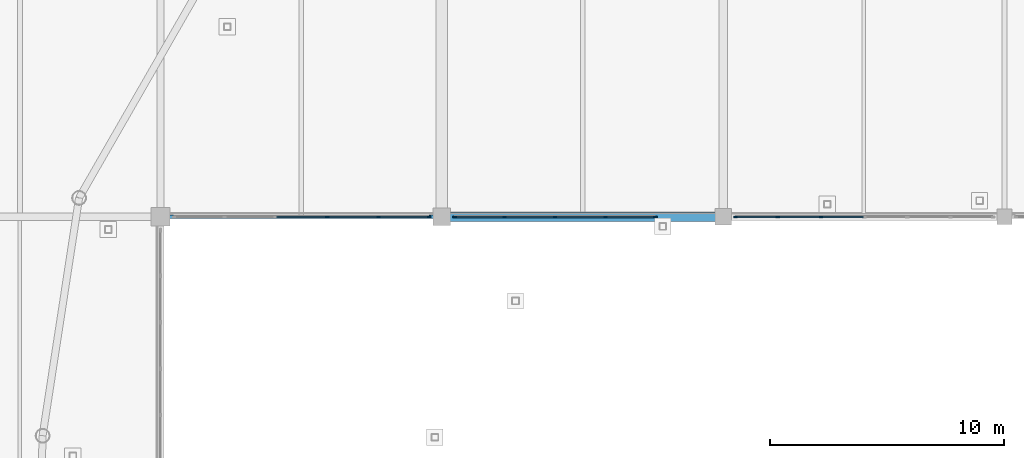
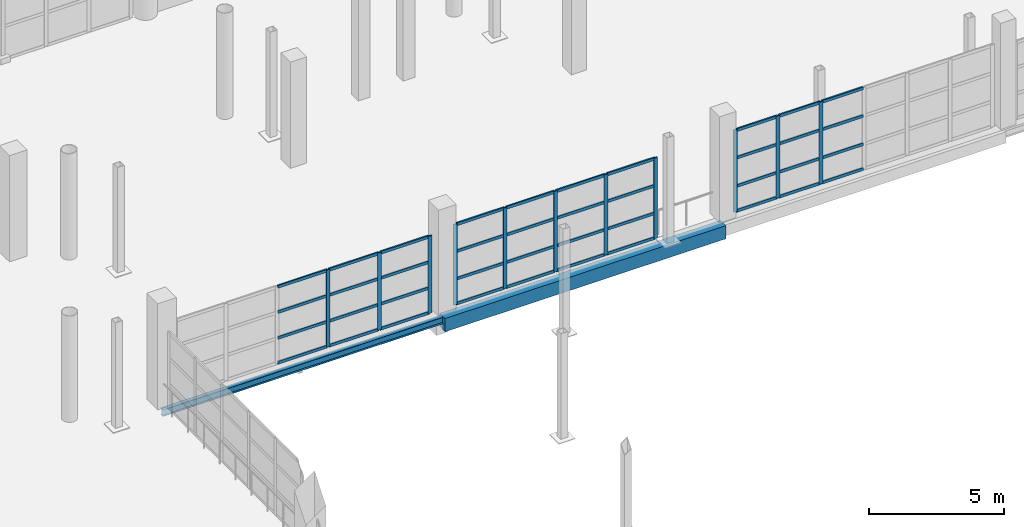
# One storey, part 46 of 143: 51 members, 2 beams, 3 elements without a shape of their own.
"""IFC4 building model written with IfcOpenShell, lengths in metres."""

from ifc_helpers import new_model, si_unit, direction, frame, origin, origin_2d, place, context, subcontext, project, spatial, rectangle, i_section, extrude, material, material_profile, profile_set, type_object, element, aggregate, save


model = new_model("IFC4")

# Units and contexts
model_context = context("Model", 3, precision=1e-05, world=origin(), true_north=direction((0.0, 1.0)))
body_context = subcontext(model_context, "Body", "Model", "MODEL_VIEW")
ifc_project = project(units=[si_unit("LENGTHUNIT", "METRE"), si_unit("AREAUNIT", "SQUARE_METRE"), si_unit("VOLUMEUNIT", "CUBIC_METRE"), si_unit("PLANEANGLEUNIT", "RADIAN"), si_unit("MASSUNIT", "GRAM", prefix="KILO")], contexts=[model_context])

# Site, building, storey
site_placement = place(None, origin())
site = spatial("IfcSite", under=ifc_project, at=site_placement, CompositionType="ELEMENT")
building_placement = place(site_placement, origin())
building = spatial("IfcBuilding", under=site, at=building_placement, Name="Luwafu Chhajja Arena", CompositionType="ELEMENT")
storey_placement = place(building_placement, frame((0.0, 0.0, 5.39990234375)))
storey = spatial("IfcBuildingStorey", under=building, at=storey_placement, Name="L01", CompositionType="ELEMENT", Elevation=5.39990234375)

# Curtain wall, members
ifc_material_1 = material(Name="Anodised bronze aluminium", Category="aluminium")
curtain_wall_type = type_object("IfcCurtainWallType", Name="Bowl Concourse Chord Curtain Wall", PredefinedType="USERDEFINED", material=ifc_material_1)
curtain_wall_1_placement = place(storey_placement, origin())
curtain_wall_1 = element("IfcCurtainWall", 1, at=curtain_wall_1_placement, inside=storey, type_object=curtain_wall_type, Name="L01 Bowl Viewing Curtain Wall CWR-L01-08", ObjectType="CURTAIN WALL", PredefinedType="USERDEFINED")
ifc_material_profile_1 = material_profile(ifc_material_1, rectangle(XDim=0.06005859375, YDim=0.159912109375, at=origin_2d()), Name="CWM 60x160")
ifc_profile_set_1 = profile_set([ifc_material_profile_1], Name="Anodised bronze aluminium")
member_type_1 = type_object("IfcMemberType", Name="Bronze Curtain Wall Mullion 60x160", PredefinedType="MULLION", material=ifc_profile_set_1)
member_1_placement = place(storey_placement, frame((65.10693359375, 77.0, 0.0), z_axis=(0.0, 0.0, 1.0), x_axis=(0.0, 1.0, 0.0)))
member_1 = element("IfcMember", 2, at=member_1_placement, type_object=member_type_1, Name="CW-01 mullion 4", PredefinedType="MULLION", context=body_context, shape_type="SweptSolid", body=[
    extrude(rectangle(XDim=0.06005859375, YDim=0.159912109375, at=origin_2d()), origin(), (0.0, 0.0, 1.0), 3.489990234375),
])
member_2_placement = place(storey_placement, frame((67.2958984375, 77.0, 0.0), z_axis=(0.0, 0.0, 1.0), x_axis=(0.0, 1.0, 0.0)))
member_2 = element("IfcMember", 3, at=member_2_placement, type_object=member_type_1, Name="CW-01 mullion 5", PredefinedType="MULLION", context=body_context, shape_type="SweptSolid", body=[
    extrude(rectangle(XDim=0.06005859375, YDim=0.159912109375, at=origin_2d()), origin(), (0.0, 0.0, 1.0), 3.489990234375),
])
member_3_placement = place(storey_placement, frame((69.455078125, 77.0, 0.0), z_axis=(0.0, 0.0, 1.0), x_axis=(0.0, 1.0, 0.0)))
member_3 = element("IfcMember", 4, at=member_3_placement, type_object=member_type_1, Name="CW-01 mullion 6", PredefinedType="MULLION", context=body_context, shape_type="SweptSolid", body=[
    extrude(rectangle(XDim=0.06005859375, YDim=0.159912109375, at=origin_2d()), origin(), (0.0, 0.0, 1.0), 3.489990234375),
])

curtain_wall_2_placement = place(storey_placement, origin())
curtain_wall_2 = element("IfcCurtainWall", 5, at=curtain_wall_2_placement, inside=storey, type_object=curtain_wall_type, Name="L01 Bowl Viewing Curtain Wall CWR-L01-09", ObjectType="CURTAIN WALL", PredefinedType="USERDEFINED")
member_4_placement = place(storey_placement, frame((70.544921875, 77.0, 0.0), z_axis=(0.0, 0.0, 1.0), x_axis=(0.0, 1.0, 0.0)))
member_4 = element("IfcMember", 6, at=member_4_placement, type_object=member_type_1, Name="CW-01 mullion 1", PredefinedType="MULLION", context=body_context, shape_type="SweptSolid", body=[
    extrude(rectangle(XDim=0.06005859375, YDim=0.159912109375, at=origin_2d()), origin(), (0.0, 0.0, 1.0), 3.64013671875),
])
member_5_placement = place(storey_placement, frame((72.669677734375, 77.0, 0.0), z_axis=(0.0, 0.0, 1.0), x_axis=(0.0, 1.0, 0.0)))
member_5 = element("IfcMember", 7, at=member_5_placement, type_object=member_type_1, Name="CW-01 mullion 2", PredefinedType="MULLION", context=body_context, shape_type="SweptSolid", body=[
    extrude(rectangle(XDim=0.06005859375, YDim=0.159912109375, at=origin_2d()), origin(), (0.0, 0.0, 1.0), 3.64013671875),
])
member_6_placement = place(storey_placement, frame((74.82421875, 77.0, 0.0), z_axis=(0.0, 0.0, 1.0), x_axis=(0.0, 1.0, 0.0)))
member_6 = element("IfcMember", 8, at=member_6_placement, type_object=member_type_1, Name="CW-01 mullion 3", PredefinedType="MULLION", context=body_context, shape_type="SweptSolid", body=[
    extrude(rectangle(XDim=0.06005859375, YDim=0.159912109375, at=origin_2d()), origin(), (0.0, 0.0, 1.0), 3.64013671875),
])
member_7_placement = place(storey_placement, frame((76.978759765625, 77.0, 0.0), z_axis=(0.0, 0.0, 1.0), x_axis=(0.0, 1.0, 0.0)))
member_7 = element("IfcMember", 9, at=member_7_placement, type_object=member_type_1, Name="CW-01 mullion 4", PredefinedType="MULLION", context=body_context, shape_type="SweptSolid", body=[
    extrude(rectangle(XDim=0.06005859375, YDim=0.159912109375, at=origin_2d()), origin(), (0.0, 0.0, 1.0), 3.64013671875),
])
member_8_placement = place(storey_placement, frame((79.103515625, 77.0, 0.0), z_axis=(0.0, 0.0, 1.0), x_axis=(0.0, 1.0, 0.0)))
member_8 = element("IfcMember", 10, at=member_8_placement, type_object=member_type_1, Name="CW-01 mullion 5", PredefinedType="MULLION", context=body_context, shape_type="SweptSolid", body=[
    extrude(rectangle(XDim=0.06005859375, YDim=0.159912109375, at=origin_2d()), origin(), (0.0, 0.0, 1.0), 3.64013671875),
])

curtain_wall_3_placement = place(storey_placement, origin())
curtain_wall_3 = element("IfcCurtainWall", 11, at=curtain_wall_3_placement, inside=storey, type_object=curtain_wall_type, Name="L01 Bowl Viewing Curtain Wall CWR-L01-10", ObjectType="CURTAIN WALL", PredefinedType="USERDEFINED")
member_9_placement = place(storey_placement, frame((82.52001953125, 77.0, 0.0), z_axis=(0.0, 0.0, 1.0), x_axis=(0.0, 1.0, 0.0)))
member_9 = element("IfcMember", 12, at=member_9_placement, type_object=member_type_1, Name="CW-01 mullion 1", PredefinedType="MULLION", context=body_context, shape_type="SweptSolid", body=[
    extrude(rectangle(XDim=0.06005859375, YDim=0.159912109375, at=origin_2d()), origin(), (0.0, 0.0, 1.0), 3.70654296875),
])
member_10_placement = place(storey_placement, frame((84.330810546875, 77.0, 0.0), z_axis=(0.0, 0.0, 1.0), x_axis=(0.0, 1.0, 0.0)))
member_10 = element("IfcMember", 13, at=member_10_placement, type_object=member_type_1, Name="CW-01 mullion 2", PredefinedType="MULLION", context=body_context, shape_type="SweptSolid", body=[
    extrude(rectangle(XDim=0.06005859375, YDim=0.159912109375, at=origin_2d()), origin(), (0.0, 0.0, 1.0), 3.70654296875),
])
member_11_placement = place(storey_placement, frame((86.171630859375, 77.0, 0.0), z_axis=(0.0, 0.0, 1.0), x_axis=(0.0, 1.0, 0.0)))
member_11 = element("IfcMember", 14, at=member_11_placement, type_object=member_type_1, Name="CW-01 mullion 3", PredefinedType="MULLION", context=body_context, shape_type="SweptSolid", body=[
    extrude(rectangle(XDim=0.06005859375, YDim=0.159912109375, at=origin_2d()), origin(), (0.0, 0.0, 1.0), 3.70654296875),
])

# Member
ifc_material_profile_2 = material_profile(ifc_material_1, rectangle(XDim=0.06005859375, YDim=0.1298828125, at=origin_2d()), Name="CWT 60x130")
ifc_profile_set_2 = profile_set([ifc_material_profile_2], Name="Anodised bronze aluminium")
member_type_2 = type_object("IfcMemberType", Name="Bronze Curtain Wall Transom 60x130", PredefinedType="USERDEFINED", material=ifc_profile_set_2)
member_12_placement = place(storey_placement, frame((62.947998046875, 77.0, 0.030029296875), z_axis=(1.0, 0.0, 0.0), x_axis=(0.0, 1.0, 0.0)))
member_12 = element("IfcMember", 15, at=member_12_placement, type_object=member_type_2, Name="CW-01 transom 3.1", ObjectType="TRANSOM", PredefinedType="USERDEFINED", context=body_context, shape_type="SweptSolid", body=[
    extrude(rectangle(XDim=0.06005859375, YDim=0.1298828125, at=origin_2d()), origin(), (0.0, 0.0, 1.0), 2.12890625),
])

member_13_placement = place(storey_placement, frame((62.947998046875, 77.0, 1.150146484375), z_axis=(1.0, 0.0, 0.0), x_axis=(0.0, 1.0, 0.0)))
member_13 = element("IfcMember", 16, at=member_13_placement, type_object=member_type_2, Name="CW-01 transom 3.2", ObjectType="TRANSOM", PredefinedType="USERDEFINED", context=body_context, shape_type="SweptSolid", body=[
    extrude(rectangle(XDim=0.06005859375, YDim=0.1298828125, at=origin_2d()), origin(), (0.0, 0.0, 1.0), 2.12890625),
])

member_14_placement = place(storey_placement, frame((62.947998046875, 77.0, 2.320068359375), z_axis=(1.0, 0.0, 0.0), x_axis=(0.0, 1.0, 0.0)))
member_14 = element("IfcMember", 17, at=member_14_placement, type_object=member_type_2, Name="CW-01 transom 3.3", ObjectType="TRANSOM", PredefinedType="USERDEFINED", context=body_context, shape_type="SweptSolid", body=[
    extrude(rectangle(XDim=0.06005859375, YDim=0.1298828125, at=origin_2d()), origin(), (0.0, 0.0, 1.0), 2.12890625),
])

member_15_placement = place(storey_placement, frame((62.947998046875, 77.0, 3.460205078125), z_axis=(1.0, 0.0, 0.0), x_axis=(0.0, 1.0, 0.0)))
member_15 = element("IfcMember", 18, at=member_15_placement, type_object=member_type_2, Name="CW-01 transom 3.4", ObjectType="TRANSOM", PredefinedType="USERDEFINED", context=body_context, shape_type="SweptSolid", body=[
    extrude(rectangle(XDim=0.06005859375, YDim=0.1298828125, at=origin_2d()), origin(), (0.0, 0.0, 1.0), 2.12890625),
])

member_16_placement = place(storey_placement, frame((65.136962890625, 77.0, 0.030029296875), z_axis=(1.0, 0.0, 0.0), x_axis=(0.0, 1.0, 0.0)))
member_16 = element("IfcMember", 19, at=member_16_placement, type_object=member_type_2, Name="CW-01 transom 4.1", ObjectType="TRANSOM", PredefinedType="USERDEFINED", context=body_context, shape_type="SweptSolid", body=[
    extrude(rectangle(XDim=0.06005859375, YDim=0.1298828125, at=origin_2d()), origin(), (0.0, 0.0, 1.0), 2.129150390625),
])

member_17_placement = place(storey_placement, frame((65.136962890625, 77.0, 1.150146484375), z_axis=(1.0, 0.0, 0.0), x_axis=(0.0, 1.0, 0.0)))
member_17 = element("IfcMember", 20, at=member_17_placement, type_object=member_type_2, Name="CW-01 transom 4.2", ObjectType="TRANSOM", PredefinedType="USERDEFINED", context=body_context, shape_type="SweptSolid", body=[
    extrude(rectangle(XDim=0.06005859375, YDim=0.1298828125, at=origin_2d()), origin(), (0.0, 0.0, 1.0), 2.129150390625),
])

member_18_placement = place(storey_placement, frame((65.136962890625, 77.0, 2.320068359375), z_axis=(1.0, 0.0, 0.0), x_axis=(0.0, 1.0, 0.0)))
member_18 = element("IfcMember", 21, at=member_18_placement, type_object=member_type_2, Name="CW-01 transom 4.3", ObjectType="TRANSOM", PredefinedType="USERDEFINED", context=body_context, shape_type="SweptSolid", body=[
    extrude(rectangle(XDim=0.06005859375, YDim=0.1298828125, at=origin_2d()), origin(), (0.0, 0.0, 1.0), 2.129150390625),
])

member_19_placement = place(storey_placement, frame((65.136962890625, 77.0, 3.460205078125), z_axis=(1.0, 0.0, 0.0), x_axis=(0.0, 1.0, 0.0)))
member_19 = element("IfcMember", 22, at=member_19_placement, type_object=member_type_2, Name="CW-01 transom 4.4", ObjectType="TRANSOM", PredefinedType="USERDEFINED", context=body_context, shape_type="SweptSolid", body=[
    extrude(rectangle(XDim=0.06005859375, YDim=0.1298828125, at=origin_2d()), origin(), (0.0, 0.0, 1.0), 2.129150390625),
])

member_20_placement = place(storey_placement, frame((67.325927734375, 77.0, 0.030029296875), z_axis=(1.0, 0.0, 0.0), x_axis=(0.0, 1.0, 0.0)))
member_20 = element("IfcMember", 23, at=member_20_placement, type_object=member_type_2, Name="CW-01 transom 5.1", ObjectType="TRANSOM", PredefinedType="USERDEFINED", context=body_context, shape_type="SweptSolid", body=[
    extrude(rectangle(XDim=0.06005859375, YDim=0.1298828125, at=origin_2d()), origin(), (0.0, 0.0, 1.0), 2.09912109375),
])

member_21_placement = place(storey_placement, frame((67.325927734375, 77.0, 1.150146484375), z_axis=(1.0, 0.0, 0.0), x_axis=(0.0, 1.0, 0.0)))
member_21 = element("IfcMember", 24, at=member_21_placement, type_object=member_type_2, Name="CW-01 transom 5.2", ObjectType="TRANSOM", PredefinedType="USERDEFINED", context=body_context, shape_type="SweptSolid", body=[
    extrude(rectangle(XDim=0.06005859375, YDim=0.1298828125, at=origin_2d()), origin(), (0.0, 0.0, 1.0), 2.09912109375),
])

member_22_placement = place(storey_placement, frame((67.325927734375, 77.0, 2.320068359375), z_axis=(1.0, 0.0, 0.0), x_axis=(0.0, 1.0, 0.0)))
member_22 = element("IfcMember", 25, at=member_22_placement, type_object=member_type_2, Name="CW-01 transom 5.3", ObjectType="TRANSOM", PredefinedType="USERDEFINED", context=body_context, shape_type="SweptSolid", body=[
    extrude(rectangle(XDim=0.06005859375, YDim=0.1298828125, at=origin_2d()), origin(), (0.0, 0.0, 1.0), 2.09912109375),
])

member_23_placement = place(storey_placement, frame((67.325927734375, 77.0, 3.460205078125), z_axis=(1.0, 0.0, 0.0), x_axis=(0.0, 1.0, 0.0)))
member_23 = element("IfcMember", 26, at=member_23_placement, type_object=member_type_2, Name="CW-01 transom 5.4", ObjectType="TRANSOM", PredefinedType="USERDEFINED", context=body_context, shape_type="SweptSolid", body=[
    extrude(rectangle(XDim=0.06005859375, YDim=0.1298828125, at=origin_2d()), origin(), (0.0, 0.0, 1.0), 2.09912109375),
])

aggregate(curtain_wall_1, [member_1, member_2, member_3, member_12, member_13, member_14, member_15, member_16, member_17, member_18, member_19, member_20, member_21, member_22, member_23])

member_24_placement = place(storey_placement, frame((70.574951171875, 77.0, 0.030029296875), z_axis=(1.0, 0.0, 0.0), x_axis=(0.0, 1.0, 0.0)))
member_24 = element("IfcMember", 27, at=member_24_placement, type_object=member_type_2, Name="CW-01 transom 1.1", ObjectType="TRANSOM", PredefinedType="USERDEFINED", context=body_context, shape_type="SweptSolid", body=[
    extrude(rectangle(XDim=0.06005859375, YDim=0.1298828125, at=origin_2d()), origin(), (0.0, 0.0, 1.0), 2.064697265625),
])

member_25_placement = place(storey_placement, frame((70.574951171875, 77.0, 1.150146484375), z_axis=(1.0, 0.0, 0.0), x_axis=(0.0, 1.0, 0.0)))
member_25 = element("IfcMember", 28, at=member_25_placement, type_object=member_type_2, Name="CW-01 transom 1.2", ObjectType="TRANSOM", PredefinedType="USERDEFINED", context=body_context, shape_type="SweptSolid", body=[
    extrude(rectangle(XDim=0.06005859375, YDim=0.1298828125, at=origin_2d()), origin(), (0.0, 0.0, 1.0), 2.064697265625),
])

member_26_placement = place(storey_placement, frame((70.574951171875, 77.0, 2.39501953125), z_axis=(1.0, 0.0, 0.0), x_axis=(0.0, 1.0, 0.0)))
member_26 = element("IfcMember", 29, at=member_26_placement, type_object=member_type_2, Name="CW-01 transom 1.3", ObjectType="TRANSOM", PredefinedType="USERDEFINED", context=body_context, shape_type="SweptSolid", body=[
    extrude(rectangle(XDim=0.06005859375, YDim=0.1298828125, at=origin_2d()), origin(), (0.0, 0.0, 1.0), 2.064697265625),
])

member_27_placement = place(storey_placement, frame((70.574951171875, 77.0, 3.610107421875), z_axis=(1.0, 0.0, 0.0), x_axis=(0.0, 1.0, 0.0)))
member_27 = element("IfcMember", 30, at=member_27_placement, type_object=member_type_2, Name="CW-01 transom 1.4", ObjectType="TRANSOM", PredefinedType="USERDEFINED", context=body_context, shape_type="SweptSolid", body=[
    extrude(rectangle(XDim=0.06005859375, YDim=0.1298828125, at=origin_2d()), origin(), (0.0, 0.0, 1.0), 2.064697265625),
])

member_28_placement = place(storey_placement, frame((72.69970703125, 77.0, 0.030029296875), z_axis=(1.0, 0.0, 0.0), x_axis=(0.0, 1.0, 0.0)))
member_28 = element("IfcMember", 31, at=member_28_placement, type_object=member_type_2, Name="CW-01 transom 2.1", ObjectType="TRANSOM", PredefinedType="USERDEFINED", context=body_context, shape_type="SweptSolid", body=[
    extrude(rectangle(XDim=0.06005859375, YDim=0.1298828125, at=origin_2d()), origin(), (0.0, 0.0, 1.0), 2.094482421875),
])

member_29_placement = place(storey_placement, frame((72.69970703125, 77.0, 1.150146484375), z_axis=(1.0, 0.0, 0.0), x_axis=(0.0, 1.0, 0.0)))
member_29 = element("IfcMember", 32, at=member_29_placement, type_object=member_type_2, Name="CW-01 transom 2.2", ObjectType="TRANSOM", PredefinedType="USERDEFINED", context=body_context, shape_type="SweptSolid", body=[
    extrude(rectangle(XDim=0.06005859375, YDim=0.1298828125, at=origin_2d()), origin(), (0.0, 0.0, 1.0), 2.094482421875),
])

member_30_placement = place(storey_placement, frame((72.69970703125, 77.0, 2.39501953125), z_axis=(1.0, 0.0, 0.0), x_axis=(0.0, 1.0, 0.0)))
member_30 = element("IfcMember", 33, at=member_30_placement, type_object=member_type_2, Name="CW-01 transom 2.3", ObjectType="TRANSOM", PredefinedType="USERDEFINED", context=body_context, shape_type="SweptSolid", body=[
    extrude(rectangle(XDim=0.06005859375, YDim=0.1298828125, at=origin_2d()), origin(), (0.0, 0.0, 1.0), 2.094482421875),
])

member_31_placement = place(storey_placement, frame((72.69970703125, 77.0, 3.610107421875), z_axis=(1.0, 0.0, 0.0), x_axis=(0.0, 1.0, 0.0)))
member_31 = element("IfcMember", 34, at=member_31_placement, type_object=member_type_2, Name="CW-01 transom 2.4", ObjectType="TRANSOM", PredefinedType="USERDEFINED", context=body_context, shape_type="SweptSolid", body=[
    extrude(rectangle(XDim=0.06005859375, YDim=0.1298828125, at=origin_2d()), origin(), (0.0, 0.0, 1.0), 2.094482421875),
])

member_32_placement = place(storey_placement, frame((74.854248046875, 77.0, 0.030029296875), z_axis=(1.0, 0.0, 0.0), x_axis=(0.0, 1.0, 0.0)))
member_32 = element("IfcMember", 35, at=member_32_placement, type_object=member_type_2, Name="CW-01 transom 3.1", ObjectType="TRANSOM", PredefinedType="USERDEFINED", context=body_context, shape_type="SweptSolid", body=[
    extrude(rectangle(XDim=0.06005859375, YDim=0.1298828125, at=origin_2d()), origin(), (0.0, 0.0, 1.0), 2.094482421875),
])

member_33_placement = place(storey_placement, frame((74.854248046875, 77.0, 1.150146484375), z_axis=(1.0, 0.0, 0.0), x_axis=(0.0, 1.0, 0.0)))
member_33 = element("IfcMember", 36, at=member_33_placement, type_object=member_type_2, Name="CW-01 transom 3.2", ObjectType="TRANSOM", PredefinedType="USERDEFINED", context=body_context, shape_type="SweptSolid", body=[
    extrude(rectangle(XDim=0.06005859375, YDim=0.1298828125, at=origin_2d()), origin(), (0.0, 0.0, 1.0), 2.094482421875),
])

member_34_placement = place(storey_placement, frame((74.854248046875, 77.0, 2.39501953125), z_axis=(1.0, 0.0, 0.0), x_axis=(0.0, 1.0, 0.0)))
member_34 = element("IfcMember", 37, at=member_34_placement, type_object=member_type_2, Name="CW-01 transom 3.3", ObjectType="TRANSOM", PredefinedType="USERDEFINED", context=body_context, shape_type="SweptSolid", body=[
    extrude(rectangle(XDim=0.06005859375, YDim=0.1298828125, at=origin_2d()), origin(), (0.0, 0.0, 1.0), 2.094482421875),
])

member_35_placement = place(storey_placement, frame((74.854248046875, 77.0, 3.610107421875), z_axis=(1.0, 0.0, 0.0), x_axis=(0.0, 1.0, 0.0)))
member_35 = element("IfcMember", 38, at=member_35_placement, type_object=member_type_2, Name="CW-01 transom 3.4", ObjectType="TRANSOM", PredefinedType="USERDEFINED", context=body_context, shape_type="SweptSolid", body=[
    extrude(rectangle(XDim=0.06005859375, YDim=0.1298828125, at=origin_2d()), origin(), (0.0, 0.0, 1.0), 2.094482421875),
])

member_36_placement = place(storey_placement, frame((77.0087890625, 77.0, 0.030029296875), z_axis=(1.0, 0.0, 0.0), x_axis=(0.0, 1.0, 0.0)))
member_36 = element("IfcMember", 39, at=member_36_placement, type_object=member_type_2, Name="CW-01 transom 4.1", ObjectType="TRANSOM", PredefinedType="USERDEFINED", context=body_context, shape_type="SweptSolid", body=[
    extrude(rectangle(XDim=0.06005859375, YDim=0.1298828125, at=origin_2d()), origin(), (0.0, 0.0, 1.0), 2.064697265625),
])

member_37_placement = place(storey_placement, frame((77.0087890625, 77.0, 1.150146484375), z_axis=(1.0, 0.0, 0.0), x_axis=(0.0, 1.0, 0.0)))
member_37 = element("IfcMember", 40, at=member_37_placement, type_object=member_type_2, Name="CW-01 transom 4.2", ObjectType="TRANSOM", PredefinedType="USERDEFINED", context=body_context, shape_type="SweptSolid", body=[
    extrude(rectangle(XDim=0.06005859375, YDim=0.1298828125, at=origin_2d()), origin(), (0.0, 0.0, 1.0), 2.064697265625),
])

member_38_placement = place(storey_placement, frame((77.0087890625, 77.0, 2.39501953125), z_axis=(1.0, 0.0, 0.0), x_axis=(0.0, 1.0, 0.0)))
member_38 = element("IfcMember", 41, at=member_38_placement, type_object=member_type_2, Name="CW-01 transom 4.3", ObjectType="TRANSOM", PredefinedType="USERDEFINED", context=body_context, shape_type="SweptSolid", body=[
    extrude(rectangle(XDim=0.06005859375, YDim=0.1298828125, at=origin_2d()), origin(), (0.0, 0.0, 1.0), 2.064697265625),
])

member_39_placement = place(storey_placement, frame((77.0087890625, 77.0, 3.610107421875), z_axis=(1.0, 0.0, 0.0), x_axis=(0.0, 1.0, 0.0)))
member_39 = element("IfcMember", 42, at=member_39_placement, type_object=member_type_2, Name="CW-01 transom 4.4", ObjectType="TRANSOM", PredefinedType="USERDEFINED", context=body_context, shape_type="SweptSolid", body=[
    extrude(rectangle(XDim=0.06005859375, YDim=0.1298828125, at=origin_2d()), origin(), (0.0, 0.0, 1.0), 2.064697265625),
])

aggregate(curtain_wall_2, [member_4, member_5, member_6, member_7, member_8, member_24, member_25, member_26, member_27, member_28, member_29, member_30, member_31, member_32, member_33, member_34, member_35, member_36, member_37, member_38, member_39])

member_40_placement = place(storey_placement, frame((82.550048828125, 77.0, 0.030029296875), z_axis=(1.0, 0.0, 0.0), x_axis=(0.0, 1.0, 0.0)))
member_40 = element("IfcMember", 43, at=member_40_placement, type_object=member_type_2, Name="CW-01 transom 1.1", ObjectType="TRANSOM", PredefinedType="USERDEFINED", context=body_context, shape_type="SweptSolid", body=[
    extrude(rectangle(XDim=0.06005859375, YDim=0.1298828125, at=origin_2d()), origin(), (0.0, 0.0, 1.0), 1.750732421875),
])

member_41_placement = place(storey_placement, frame((82.550048828125, 77.0, 1.150146484375), z_axis=(1.0, 0.0, 0.0), x_axis=(0.0, 1.0, 0.0)))
member_41 = element("IfcMember", 44, at=member_41_placement, type_object=member_type_2, Name="CW-01 transom 1.2", ObjectType="TRANSOM", PredefinedType="USERDEFINED", context=body_context, shape_type="SweptSolid", body=[
    extrude(rectangle(XDim=0.06005859375, YDim=0.1298828125, at=origin_2d()), origin(), (0.0, 0.0, 1.0), 1.750732421875),
])

member_42_placement = place(storey_placement, frame((82.550048828125, 77.0, 2.428466796875), z_axis=(1.0, 0.0, 0.0), x_axis=(0.0, 1.0, 0.0)))
member_42 = element("IfcMember", 45, at=member_42_placement, type_object=member_type_2, Name="CW-01 transom 1.3", ObjectType="TRANSOM", PredefinedType="USERDEFINED", context=body_context, shape_type="SweptSolid", body=[
    extrude(rectangle(XDim=0.06005859375, YDim=0.1298828125, at=origin_2d()), origin(), (0.0, 0.0, 1.0), 1.750732421875),
])

member_43_placement = place(storey_placement, frame((82.550048828125, 77.0, 3.676513671875), z_axis=(1.0, 0.0, 0.0), x_axis=(0.0, 1.0, 0.0)))
member_43 = element("IfcMember", 46, at=member_43_placement, type_object=member_type_2, Name="CW-01 transom 1.4", ObjectType="TRANSOM", PredefinedType="USERDEFINED", context=body_context, shape_type="SweptSolid", body=[
    extrude(rectangle(XDim=0.06005859375, YDim=0.1298828125, at=origin_2d()), origin(), (0.0, 0.0, 1.0), 1.750732421875),
])

member_44_placement = place(storey_placement, frame((84.36083984375, 77.0, 0.030029296875), z_axis=(1.0, 0.0, 0.0), x_axis=(0.0, 1.0, 0.0)))
member_44 = element("IfcMember", 47, at=member_44_placement, type_object=member_type_2, Name="CW-01 transom 2.1", ObjectType="TRANSOM", PredefinedType="USERDEFINED", context=body_context, shape_type="SweptSolid", body=[
    extrude(rectangle(XDim=0.06005859375, YDim=0.1298828125, at=origin_2d()), origin(), (0.0, 0.0, 1.0), 1.78076171875),
])

member_45_placement = place(storey_placement, frame((84.36083984375, 77.0, 1.150146484375), z_axis=(1.0, 0.0, 0.0), x_axis=(0.0, 1.0, 0.0)))
member_45 = element("IfcMember", 48, at=member_45_placement, type_object=member_type_2, Name="CW-01 transom 2.2", ObjectType="TRANSOM", PredefinedType="USERDEFINED", context=body_context, shape_type="SweptSolid", body=[
    extrude(rectangle(XDim=0.06005859375, YDim=0.1298828125, at=origin_2d()), origin(), (0.0, 0.0, 1.0), 1.78076171875),
])

member_46_placement = place(storey_placement, frame((84.36083984375, 77.0, 2.428466796875), z_axis=(1.0, 0.0, 0.0), x_axis=(0.0, 1.0, 0.0)))
member_46 = element("IfcMember", 49, at=member_46_placement, type_object=member_type_2, Name="CW-01 transom 2.3", ObjectType="TRANSOM", PredefinedType="USERDEFINED", context=body_context, shape_type="SweptSolid", body=[
    extrude(rectangle(XDim=0.06005859375, YDim=0.1298828125, at=origin_2d()), origin(), (0.0, 0.0, 1.0), 1.78076171875),
])

member_47_placement = place(storey_placement, frame((84.36083984375, 77.0, 3.676513671875), z_axis=(1.0, 0.0, 0.0), x_axis=(0.0, 1.0, 0.0)))
member_47 = element("IfcMember", 50, at=member_47_placement, type_object=member_type_2, Name="CW-01 transom 2.4", ObjectType="TRANSOM", PredefinedType="USERDEFINED", context=body_context, shape_type="SweptSolid", body=[
    extrude(rectangle(XDim=0.06005859375, YDim=0.1298828125, at=origin_2d()), origin(), (0.0, 0.0, 1.0), 1.78076171875),
])

member_48_placement = place(storey_placement, frame((86.20166015625, 77.0, 0.030029296875), z_axis=(1.0, 0.0, 0.0), x_axis=(0.0, 1.0, 0.0)))
member_48 = element("IfcMember", 51, at=member_48_placement, type_object=member_type_2, Name="CW-01 transom 3.1", ObjectType="TRANSOM", PredefinedType="USERDEFINED", context=body_context, shape_type="SweptSolid", body=[
    extrude(rectangle(XDim=0.06005859375, YDim=0.1298828125, at=origin_2d()), origin(), (0.0, 0.0, 1.0), 1.78076171875),
])

member_49_placement = place(storey_placement, frame((86.20166015625, 77.0, 1.150146484375), z_axis=(1.0, 0.0, 0.0), x_axis=(0.0, 1.0, 0.0)))
member_49 = element("IfcMember", 52, at=member_49_placement, type_object=member_type_2, Name="CW-01 transom 3.2", ObjectType="TRANSOM", PredefinedType="USERDEFINED", context=body_context, shape_type="SweptSolid", body=[
    extrude(rectangle(XDim=0.06005859375, YDim=0.1298828125, at=origin_2d()), origin(), (0.0, 0.0, 1.0), 1.78076171875),
])

member_50_placement = place(storey_placement, frame((86.20166015625, 77.0, 2.428466796875), z_axis=(1.0, 0.0, 0.0), x_axis=(0.0, 1.0, 0.0)))
member_50 = element("IfcMember", 53, at=member_50_placement, type_object=member_type_2, Name="CW-01 transom 3.3", ObjectType="TRANSOM", PredefinedType="USERDEFINED", context=body_context, shape_type="SweptSolid", body=[
    extrude(rectangle(XDim=0.06005859375, YDim=0.1298828125, at=origin_2d()), origin(), (0.0, 0.0, 1.0), 1.78076171875),
])

member_51_placement = place(storey_placement, frame((86.20166015625, 77.0, 3.676513671875), z_axis=(1.0, 0.0, 0.0), x_axis=(0.0, 1.0, 0.0)))
member_51 = element("IfcMember", 54, at=member_51_placement, type_object=member_type_2, Name="CW-01 transom 3.4", ObjectType="TRANSOM", PredefinedType="USERDEFINED", context=body_context, shape_type="SweptSolid", body=[
    extrude(rectangle(XDim=0.06005859375, YDim=0.1298828125, at=origin_2d()), origin(), (0.0, 0.0, 1.0), 1.78076171875),
])

aggregate(curtain_wall_3, [member_9, member_10, member_11, member_40, member_41, member_42, member_43, member_44, member_45, member_46, member_47, member_48, member_49, member_50, member_51])

# Beams
ifc_material_2 = material(Name="Steel S355", Category="steel")
ifc_material_profile_3 = material_profile(ifc_material_2, i_section(OverallWidth=0.165771484375, OverallDepth=0.306640625, WebThickness=0.006591796875, FlangeThickness=0.01171875, at=origin_2d()), Name="UB 305x165x46")
ifc_profile_set_3 = profile_set([ifc_material_profile_3], Name="Steel S355")
beam_type_1 = type_object("IfcBeamType", Name="Concourse Edge Spandrel Beam UB 305x165x46", PredefinedType="SPANDREL", material=ifc_profile_set_3)
beam_1_placement = place(storey_placement, frame((58.0, 77.0, -0.483154296875), z_axis=(1.0, 0.0, 0.0), x_axis=(0.0, 1.0, 0.0)))
element("IfcBeam", 55, at=beam_1_placement, inside=storey, type_object=beam_type_1, Name="L01 Grid Beam 6-7/H", PredefinedType="SPANDREL", context=body_context, shape_type="SweptSolid", body=[
    extrude(i_section(OverallWidth=0.165771484375, OverallDepth=0.306640625, WebThickness=0.006591796875, FlangeThickness=0.01171875, at=origin_2d()), origin(), (0.0, 0.0, 1.0), 12.0),
])
ifc_material_3 = material(Name="Concrete C35/45", Category="concrete")
ifc_material_profile_4 = material_profile(ifc_material_3, rectangle(XDim=0.39990234375, YDim=0.60009765625, at=origin_2d()), Name="RC 400x600")
ifc_profile_set_4 = profile_set([ifc_material_profile_4], Name="Concrete C35/45")
beam_type_2 = type_object("IfcBeamType", Name="Podium Perimeter Spandrel RC 400x600", PredefinedType="SPANDREL", material=ifc_profile_set_4)
beam_2_placement = place(storey_placement, frame((70.0, 77.0, -0.6298828125), z_axis=(1.0, 0.0, 0.0), x_axis=(0.0, 1.0, 0.0)))
element("IfcBeam", 56, at=beam_2_placement, inside=storey, type_object=beam_type_2, Name="L01 Grid Beam 7-8/H", PredefinedType="SPANDREL", context=body_context, shape_type="SweptSolid", body=[
    extrude(rectangle(XDim=0.39990234375, YDim=0.60009765625, at=origin_2d()), origin(), (0.0, 0.0, 1.0), 12.0),
])

save(model, "model.ifc")
